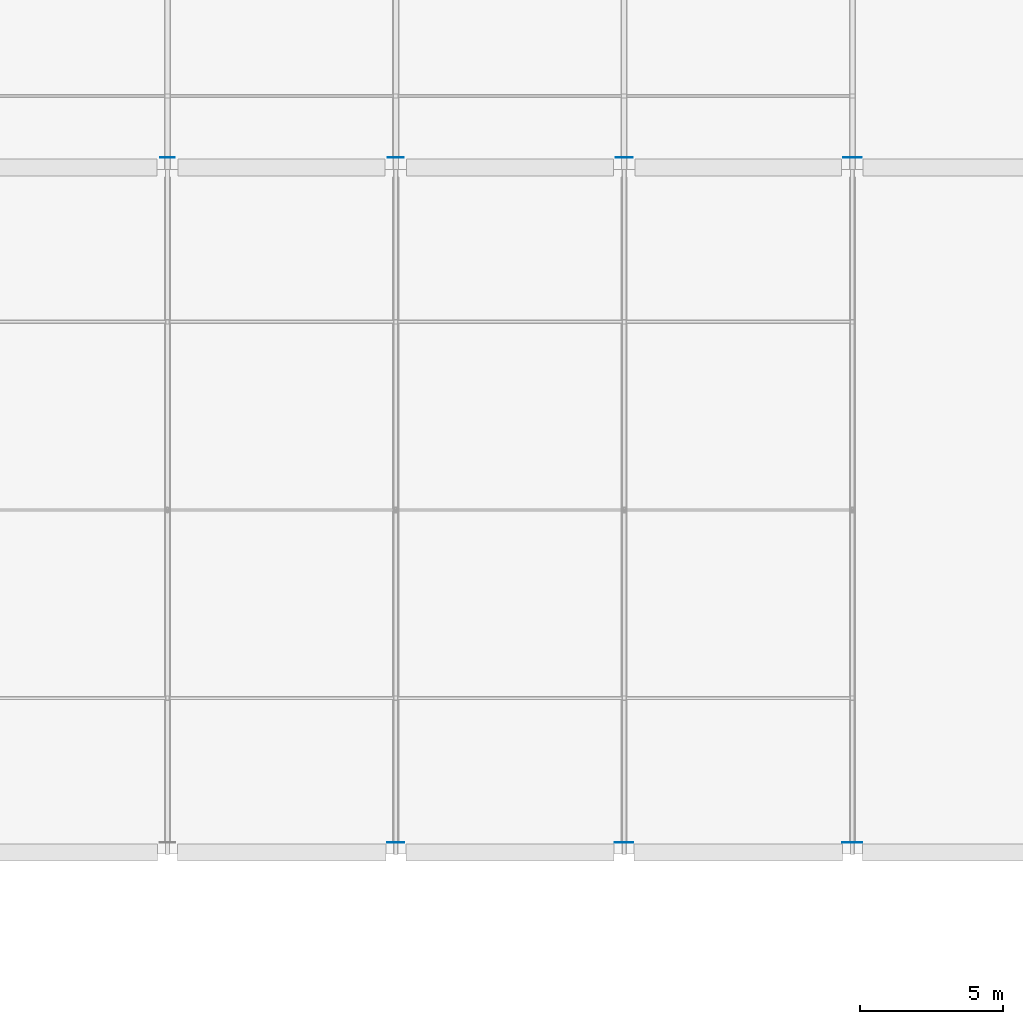
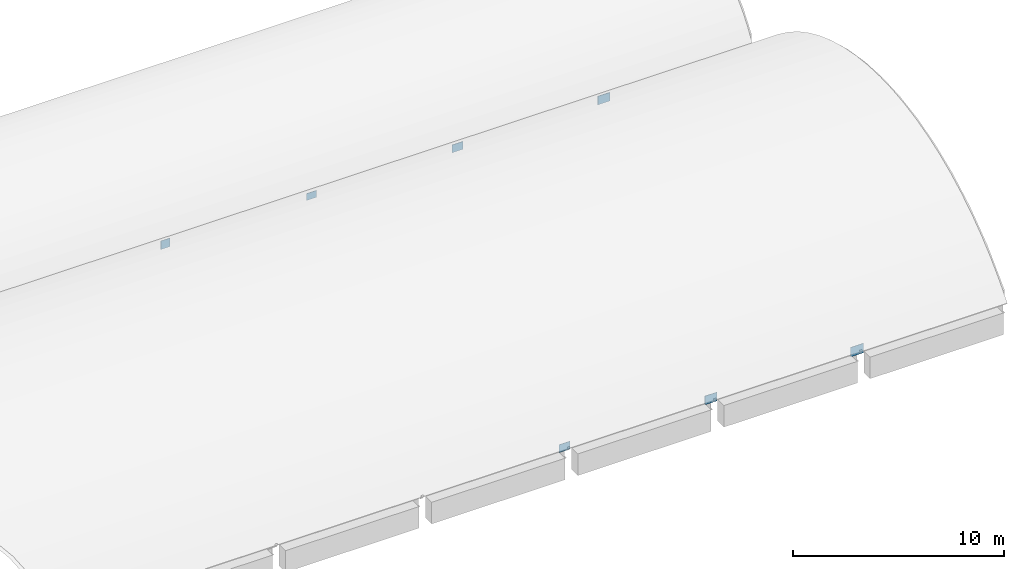
# One storey, part 49 of 57: 7 plates.
"""IFC4 building model written with IfcOpenShell, lengths in metres."""

from ifc_helpers import new_model, si_unit, direction, frame, origin, origin_2d, place, context, subcontext, project, spatial, rectangle, extrude, material, layer, layer_set, type_object, element, save


model = new_model("IFC4")

# Units and contexts
model_context = context("Model", 3, precision=1e-05, world=origin(), true_north=direction((0.0, 1.0)))
body_context = subcontext(model_context, "Body", "Model", "MODEL_VIEW")
ifc_project = project(units=[si_unit("LENGTHUNIT", "METRE"), si_unit("AREAUNIT", "SQUARE_METRE"), si_unit("VOLUMEUNIT", "CUBIC_METRE"), si_unit("PLANEANGLEUNIT", "RADIAN"), si_unit("MASSUNIT", "GRAM", prefix="KILO"), si_unit("THERMODYNAMICTEMPERATUREUNIT", "KELVIN"), si_unit("POWERUNIT", "WATT")], contexts=[model_context])

# Site, building, storey
site_placement = place(None, origin())
site = spatial("IfcSite", under=ifc_project, at=site_placement, CompositionType="ELEMENT")
building_placement = place(site_placement, origin())
building = spatial("IfcBuilding", under=site, at=building_placement, Name="Kronsvod Quay Wholesale Market", CompositionType="ELEMENT")
storey_placement = place(building_placement, frame((0.0, 0.0, 13.199951171875)))
storey = spatial("IfcBuildingStorey", under=building, at=storey_placement, Name="L03", CompositionType="ELEMENT", Elevation=13.199951171875)

# Plates
ifc_material_1 = material(Name="Steel S355", Category="steel")
ifc_layer_1 = layer(ifc_material_1, 0.02197265625)
ifc_layer_set_1 = layer_set([ifc_layer_1], Name="Steel S355")
plate_type_1 = type_object("IfcPlateType", Name="GussetPlate_GP02", PredefinedType="SHEET", material=ifc_layer_set_1)
plate_1_placement = place(storey_placement, frame((160.0, 78.35009765625, -0.329833984375), z_axis=(0.0, 0.0, 1.0), x_axis=(1.0, 0.0, 0.0)))
element("IfcPlate", 1, at=plate_1_placement, inside=storey, type_object=plate_type_1, Name="GPL-0025", PredefinedType="SHEET", context=body_context, shape_type="SweptSolid", body=[
    extrude(rectangle(XDim=0.5, YDim=0.02197265625, at=origin_2d()), origin(), (0.0, 0.0, 1.0), 0.5),
])
ifc_material_2 = material(Name="Steel S355", Category="steel")
ifc_layer_2 = layer(ifc_material_2, 0.02392578125)
ifc_layer_set_2 = layer_set([ifc_layer_2], Name="Steel S355")
plate_type_2 = type_object("IfcPlateType", Name="GussetPlate_GP03", PredefinedType="SHEET", material=ifc_layer_set_2)
plate_2_placement = place(storey_placement, frame((168.0, 78.35009765625, -0.27978515625), z_axis=(0.0, 0.0, 1.0), x_axis=(1.0, 0.0, 0.0)))
element("IfcPlate", 2, at=plate_2_placement, inside=storey, type_object=plate_type_2, Name="GPL-0026", PredefinedType="SHEET", context=body_context, shape_type="SweptSolid", body=[
    extrude(rectangle(XDim=0.550048828125, YDim=0.02392578125, at=origin_2d()), origin(), (0.0, 0.0, 1.0), 0.39990234375),
])
ifc_material_3 = material(Name="Steel S355", Category="steel")
ifc_layer_3 = layer(ifc_material_3, 0.02490234375)
ifc_layer_set_3 = layer_set([ifc_layer_3], Name="Steel S355")
plate_type_3 = type_object("IfcPlateType", Name="GussetPlate_GP04", PredefinedType="SHEET", material=ifc_layer_set_3)
for number, where, z_axis, x_axis, name in (
    (3, (168.0, 54.35009765625, -0.3046875), (0.0, 0.0, 1.0), (1.0, 0.0, 0.0), "GPL-0019"),
    (4, (176.0, 78.35009765625, -0.3046875), (0.0, 0.0, 1.0), (1.0, 0.0, 0.0), "GPL-0027"),
):
    element("IfcPlate", number, at=place(storey_placement, frame(where, z_axis=z_axis, x_axis=x_axis)), inside=storey, type_object=plate_type_3, Name=name, PredefinedType="SHEET", context=body_context, shape_type="SweptSolid", body=[
        extrude(rectangle(XDim=0.60009765625, YDim=0.02490234375, at=origin_2d()), origin(), (0.0, 0.0, 1.0), 0.449951171875),
    ])
ifc_material_4 = material(Name="Steel S355", Category="steel")
ifc_layer_4 = layer(ifc_material_4, 0.028076171875)
ifc_layer_set_4 = layer_set([ifc_layer_4], Name="Steel S355")
plate_type_4 = type_object("IfcPlateType", Name="GussetPlate_GP05", PredefinedType="SHEET", material=ifc_layer_set_4)
for number, where, z_axis, x_axis, name in (
    (5, (176.0, 54.35009765625, -0.329833984375), (0.0, 0.0, 1.0), (1.0, 0.0, 0.0), "GPL-0020"),
    (6, (184.0, 78.35009765625, -0.329833984375), (0.0, 0.0, 1.0), (1.0, 0.0, 0.0), "GPL-0028"),
):
    element("IfcPlate", number, at=place(storey_placement, frame(where, z_axis=z_axis, x_axis=x_axis)), inside=storey, type_object=plate_type_4, Name=name, PredefinedType="SHEET", context=body_context, shape_type="SweptSolid", body=[
        extrude(rectangle(XDim=0.64990234375, YDim=0.028076171875, at=origin_2d()), origin(), (0.0, 0.0, 1.0), 0.5),
    ])
ifc_material_5 = material(Name="Steel S355", Category="steel")
ifc_layer_5 = layer(ifc_material_5, 0.030029296875)
ifc_layer_set_5 = layer_set([ifc_layer_5], Name="Steel S355")
plate_type_5 = type_object("IfcPlateType", Name="GussetPlate_GP06", PredefinedType="SHEET", material=ifc_layer_set_5)
plate_3_placement = place(storey_placement, frame((184.0, 54.35009765625, -0.35498046875), z_axis=(0.0, 0.0, 1.0), x_axis=(1.0, 0.0, 0.0)))
element("IfcPlate", 7, at=plate_3_placement, inside=storey, type_object=plate_type_5, Name="GPL-0021", PredefinedType="SHEET", context=body_context, shape_type="SweptSolid", body=[
    extrude(rectangle(XDim=0.699951171875, YDim=0.030029296875, at=origin_2d()), origin(), (0.0, 0.0, 1.0), 0.550048828125),
])

save(model, "model.ifc")
